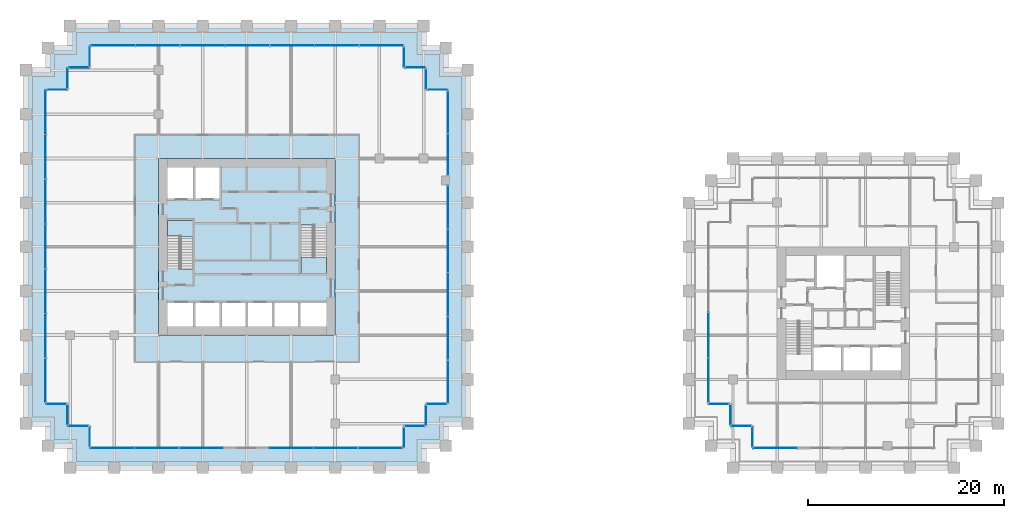
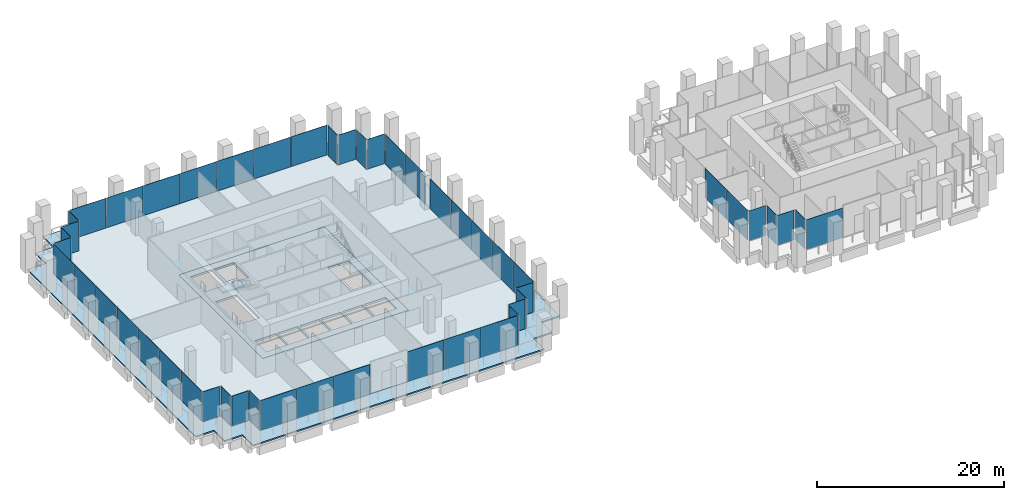
# One storey, part 28 of 36: 50 plates, 5 slabs, 30 elements without a shape of their own.
"""IFC4 building model written with IfcOpenShell, lengths in metres."""

from ifc_helpers import new_model, si_unit, direction, frame, origin, origin_2d, place, context, subcontext, project, spatial, polyline, rectangle, outline, extrude, material, layer, layer_set, type_object, element, aggregate, save


model = new_model("IFC4")

# Units and contexts
model_context = context("Model", 3, precision=1e-05, world=origin(), true_north=direction((0.0, 1.0)))
body_context = subcontext(model_context, "Body", "Model", "MODEL_VIEW")
ifc_project = project(units=[si_unit("LENGTHUNIT", "METRE"), si_unit("AREAUNIT", "SQUARE_METRE"), si_unit("VOLUMEUNIT", "CUBIC_METRE"), si_unit("PLANEANGLEUNIT", "RADIAN"), si_unit("MASSUNIT", "GRAM", prefix="KILO")], contexts=[model_context])

# Site, building, storey
site_placement = place(None, origin())
site = spatial("IfcSite", under=ifc_project, at=site_placement, CompositionType="ELEMENT")
building_placement = place(site_placement, origin())
building = spatial("IfcBuilding", under=site, at=building_placement, Name="Altepetl Exchange Towers", CompositionType="ELEMENT")
storey_placement = place(building_placement, frame((0.0, 0.0, 38.60009765625)))
storey = spatial("IfcBuildingStorey", under=building, at=storey_placement, Name="L08", CompositionType="ELEMENT", Elevation=38.60009765625)

# Slabs
ifc_material_1 = material(Name="Concrete C40/50", Category="concrete")
ifc_layer_1 = layer(ifc_material_1, 0.175048828125)
ifc_layer_set_1 = layer_set([ifc_layer_1], Name="Concrete C40/50")
slab_type_1 = type_object("IfcSlabType", Name="Composite floor slab 175", PredefinedType="FLOOR", material=ifc_layer_set_1)
slab_1_placement = place(storey_placement, frame((0.0, 0.0, -0.175048828125)))
element("IfcSlab", 1, at=slab_1_placement, inside=storey, type_object=slab_type_1, Name="slab:A:L08:strip0", PredefinedType="FLOOR", context=body_context, shape_type="SweptSolid", body=[
    extrude(outline(polyline([(31.25, 67.75), (31.25, 65.5), (29.0, 65.5), (29.0, 33.5), (31.25, 33.5), (31.25, 31.25), (33.5, 31.25), (33.5, 29.0), (65.5, 29.0), (65.5, 31.25), (67.75, 31.25), (67.75, 33.5), (70.0, 33.5), (70.0, 65.5), (67.75, 65.5), (67.75, 67.75), (65.5, 67.75), (65.5, 70.0), (33.5, 70.0), (33.5, 67.75), (31.25, 67.75)]), holes=[polyline([(58.5, 58.5), (58.5, 40.5), (40.5, 40.5), (40.5, 58.5), (58.5, 58.5)])]), origin(), (0.0, 0.0, 1.0), 0.175048828125),
])
ifc_layer_2 = layer(ifc_material_1, 0.27490234375)
ifc_layer_set_2 = layer_set([ifc_layer_2], Name="Concrete C40/50")
slab_type_2 = type_object("IfcSlabType", Name="Core floor slab 275", PredefinedType="FLOOR", material=ifc_layer_set_2)
slab_2_placement = place(storey_placement, frame((0.0, 0.0, -0.275146484375)))
element("IfcSlab", 2, at=slab_2_placement, inside=storey, type_object=slab_type_2, Name="slab:A:L08:core0", PredefinedType="FLOOR", context=body_context, shape_type="SweptSolid", body=[
    extrude(outline(polyline([(40.5, 40.5), (58.5, 40.5), (58.5, 58.5), (40.5, 58.5), (40.5, 40.5)]), holes=[polyline([(41.39990234375, 43.800048828125), (44.06689453125, 43.800048828125), (44.06689453125, 41.39990234375), (41.39990234375, 41.39990234375), (41.39990234375, 43.800048828125)]), polyline([(44.26708984375, 43.800048828125), (46.73291015625, 43.800048828125), (46.73291015625, 41.39990234375), (44.26708984375, 41.39990234375), (44.26708984375, 43.800048828125)]), polyline([(46.93310546875, 43.800048828125), (49.39990234375, 43.800048828125), (49.39990234375, 41.39990234375), (46.93310546875, 41.39990234375), (46.93310546875, 43.800048828125)]), polyline([(52.06689453125, 43.800048828125), (52.06689453125, 41.39990234375), (49.60009765625, 41.39990234375), (49.60009765625, 43.800048828125), (52.06689453125, 43.800048828125)]), polyline([(54.73291015625, 43.800048828125), (54.73291015625, 41.39990234375), (52.26708984375, 41.39990234375), (52.26708984375, 43.800048828125), (54.73291015625, 43.800048828125)]), polyline([(54.93310546875, 43.800048828125), (57.60009765625, 43.800048828125), (57.60009765625, 41.39990234375), (54.93310546875, 41.39990234375), (54.93310546875, 43.800048828125)]), polyline([(55.0, 51.7490234375), (56.35009765625, 51.7490234375), (56.35009765625, 51.64990234375), (57.60009765625, 51.64990234375), (57.60009765625, 46.800048828125), (55.0, 46.800048828125), (55.0, 51.7490234375)]), polyline([(44.0, 47.2509765625), (42.64990234375, 47.2509765625), (42.64990234375, 47.35009765625), (41.39990234375, 47.35009765625), (41.39990234375, 52.199951171875), (44.0, 52.199951171875), (44.0, 47.2509765625)]), polyline([(44.06689453125, 57.60009765625), (44.06689453125, 54.39990234375), (41.39990234375, 54.39990234375), (41.39990234375, 57.60009765625), (44.06689453125, 57.60009765625)]), polyline([(46.73291015625, 57.60009765625), (46.73291015625, 54.39990234375), (44.26708984375, 54.39990234375), (44.26708984375, 57.60009765625), (46.73291015625, 57.60009765625)])]), origin(), (0.0, 0.0, 1.0), 0.275146484375),
])

# Curtain wall, plate
ifc_material_2 = material(Name="Aluminium 6063-T6 glazing", Category="aluminium")
curtain_wall_type = type_object("IfcCurtainWallType", Name="Trading floor glazing system", PredefinedType="NOTDEFINED", material=ifc_material_2)
curtain_wall_1_placement = place(storey_placement, origin())
curtain_wall_1 = element("IfcCurtainWall", 3, at=curtain_wall_1_placement, inside=storey, type_object=curtain_wall_type, Name="CW2 run", PredefinedType="NOTDEFINED")
ifc_material_3 = material(Name="Glass 8-20-8 solar control", Category="glass")
ifc_layer_3 = layer(ifc_material_3, 0.035888671875)
ifc_layer_set_3 = layer_set([ifc_layer_3], Name="Glass 8-20-8 solar control")
plate_type = type_object("IfcPlateType", Name="Glass panel 36 double glazed", PredefinedType="CURTAIN_PANEL", material=ifc_layer_set_3)
plate_1_placement = place(storey_placement, frame((30.175048828125, 65.5, 0.0), z_axis=(0.0, 0.0, 1.0), x_axis=(-1.0, 0.0, 0.0)))
plate_1 = element("IfcPlate", 4, at=plate_1_placement, type_object=plate_type, Name="GP2 panel", PredefinedType="CURTAIN_PANEL", context=body_context, shape_type="SweptSolid", body=[
    extrude(rectangle(XDim=2.030029296875, YDim=0.035888671875, at=origin_2d()), origin(), (0.0, 0.0, 1.0), 3.89990234375),
])
aggregate(curtain_wall_1, [plate_1])

# Curtain wall, plates
curtain_wall_2_placement = place(storey_placement, origin())
curtain_wall_2 = element("IfcCurtainWall", 5, at=curtain_wall_2_placement, inside=storey, type_object=curtain_wall_type, Name="CW2 run", PredefinedType="NOTDEFINED")
plate_2_placement = place(storey_placement, frame((29.0, 63.20654296875, 0.0), z_axis=(0.0, 0.0, 1.0), x_axis=(0.0, -1.0, 0.0)))
plate_2 = element("IfcPlate", 6, at=plate_2_placement, type_object=plate_type, Name="GP2 panel", PredefinedType="CURTAIN_PANEL", context=body_context, shape_type="SweptSolid", body=[
    extrude(rectangle(XDim=4.467041015625, YDim=0.035888671875, at=origin_2d()), origin(), (0.0, 0.0, 1.0), 3.89990234375),
])
plate_3_placement = place(storey_placement, frame((29.0, 58.664306640625, 0.0), z_axis=(0.0, 0.0, 1.0), x_axis=(0.0, -1.0, 0.0)))
plate_3 = element("IfcPlate", 7, at=plate_3_placement, type_object=plate_type, Name="GP2 panel", PredefinedType="CURTAIN_PANEL", context=body_context, shape_type="SweptSolid", body=[
    extrude(rectangle(XDim=4.4970703125, YDim=0.035888671875, at=origin_2d()), origin(), (0.0, 0.0, 1.0), 3.89990234375),
])
plate_4_placement = place(storey_placement, frame((29.0, 54.107177734375, 0.0), z_axis=(0.0, 0.0, 1.0), x_axis=(0.0, -1.0, 0.0)))
plate_4 = element("IfcPlate", 8, at=plate_4_placement, type_object=plate_type, Name="GP2 panel", PredefinedType="CURTAIN_PANEL", context=body_context, shape_type="SweptSolid", body=[
    extrude(rectangle(XDim=4.4970703125, YDim=0.035888671875, at=origin_2d()), origin(), (0.0, 0.0, 1.0), 3.89990234375),
])
plate_5_placement = place(storey_placement, frame((29.0, 49.550048828125, 0.0), z_axis=(0.0, 0.0, 1.0), x_axis=(0.0, -1.0, 0.0)))
plate_5 = element("IfcPlate", 9, at=plate_5_placement, type_object=plate_type, Name="GP2 panel", PredefinedType="CURTAIN_PANEL", context=body_context, shape_type="SweptSolid", body=[
    extrude(rectangle(XDim=4.4970703125, YDim=0.035888671875, at=origin_2d()), origin(), (0.0, 0.0, 1.0), 3.89990234375),
])
plate_6_placement = place(storey_placement, frame((29.0, 44.992919921875, 0.0), z_axis=(0.0, 0.0, 1.0), x_axis=(0.0, -1.0, 0.0)))
plate_6 = element("IfcPlate", 10, at=plate_6_placement, type_object=plate_type, Name="GP2 panel", PredefinedType="CURTAIN_PANEL", context=body_context, shape_type="SweptSolid", body=[
    extrude(rectangle(XDim=4.4970703125, YDim=0.035888671875, at=origin_2d()), origin(), (0.0, 0.0, 1.0), 3.89990234375),
])
plate_7_placement = place(storey_placement, frame((29.0, 40.435791015625, 0.0), z_axis=(0.0, 0.0, 1.0), x_axis=(0.0, -1.0, 0.0)))
plate_7 = element("IfcPlate", 11, at=plate_7_placement, type_object=plate_type, Name="GP2 panel", PredefinedType="CURTAIN_PANEL", context=body_context, shape_type="SweptSolid", body=[
    extrude(rectangle(XDim=4.4970703125, YDim=0.035888671875, at=origin_2d()), origin(), (0.0, 0.0, 1.0), 3.89990234375),
])
plate_8_placement = place(storey_placement, frame((29.0, 35.8935546875, 0.0), z_axis=(0.0, 0.0, 1.0), x_axis=(0.0, -1.0, 0.0)))
plate_8 = element("IfcPlate", 12, at=plate_8_placement, type_object=plate_type, Name="GP2 panel", PredefinedType="CURTAIN_PANEL", context=body_context, shape_type="SweptSolid", body=[
    extrude(rectangle(XDim=4.467041015625, YDim=0.035888671875, at=origin_2d()), origin(), (0.0, 0.0, 1.0), 3.89990234375),
])
aggregate(curtain_wall_2, [plate_2, plate_3, plate_4, plate_5, plate_6, plate_7, plate_8])

# Curtain wall, plate
curtain_wall_3_placement = place(storey_placement, origin())
curtain_wall_3 = element("IfcCurtainWall", 13, at=curtain_wall_3_placement, inside=storey, type_object=curtain_wall_type, Name="CW2 run", PredefinedType="NOTDEFINED")
plate_9_placement = place(storey_placement, frame((30.074951171875, 33.5, 0.0)))
plate_9 = element("IfcPlate", 14, at=plate_9_placement, type_object=plate_type, Name="GP2 panel", PredefinedType="CURTAIN_PANEL", context=body_context, shape_type="SweptSolid", body=[
    extrude(rectangle(XDim=2.030029296875, YDim=0.035888671875, at=origin_2d()), origin(), (0.0, 0.0, 1.0), 3.89990234375),
])
aggregate(curtain_wall_3, [plate_9])

curtain_wall_4_placement = place(storey_placement, origin())
curtain_wall_4 = element("IfcCurtainWall", 15, at=curtain_wall_4_placement, inside=storey, type_object=curtain_wall_type, Name="CW2 run", PredefinedType="NOTDEFINED")
plate_10_placement = place(storey_placement, frame((31.25, 32.425048828125, 0.0), z_axis=(0.0, 0.0, 1.0), x_axis=(0.0, -1.0, 0.0)))
plate_10 = element("IfcPlate", 16, at=plate_10_placement, type_object=plate_type, Name="GP2 panel", PredefinedType="CURTAIN_PANEL", context=body_context, shape_type="SweptSolid", body=[
    extrude(rectangle(XDim=2.030029296875, YDim=0.035888671875, at=origin_2d()), origin(), (0.0, 0.0, 1.0), 3.89990234375),
])
aggregate(curtain_wall_4, [plate_10])

curtain_wall_5_placement = place(storey_placement, origin())
curtain_wall_5 = element("IfcCurtainWall", 17, at=curtain_wall_5_placement, inside=storey, type_object=curtain_wall_type, Name="CW2 run", PredefinedType="NOTDEFINED")
plate_11_placement = place(storey_placement, frame((32.324951171875, 31.25, 0.0)))
plate_11 = element("IfcPlate", 18, at=plate_11_placement, type_object=plate_type, Name="GP2 panel", PredefinedType="CURTAIN_PANEL", context=body_context, shape_type="SweptSolid", body=[
    extrude(rectangle(XDim=2.030029296875, YDim=0.035888671875, at=origin_2d()), origin(), (0.0, 0.0, 1.0), 3.89990234375),
])
aggregate(curtain_wall_5, [plate_11])

curtain_wall_6_placement = place(storey_placement, origin())
curtain_wall_6 = element("IfcCurtainWall", 19, at=curtain_wall_6_placement, inside=storey, type_object=curtain_wall_type, Name="CW2 run", PredefinedType="NOTDEFINED")
plate_12_placement = place(storey_placement, frame((33.5, 30.175048828125, 0.0), z_axis=(0.0, 0.0, 1.0), x_axis=(0.0, -1.0, 0.0)))
plate_12 = element("IfcPlate", 20, at=plate_12_placement, type_object=plate_type, Name="GP2 panel", PredefinedType="CURTAIN_PANEL", context=body_context, shape_type="SweptSolid", body=[
    extrude(rectangle(XDim=2.030029296875, YDim=0.035888671875, at=origin_2d()), origin(), (0.0, 0.0, 1.0), 3.89990234375),
])
aggregate(curtain_wall_6, [plate_12])

# Curtain wall, plates
curtain_wall_7_placement = place(storey_placement, origin())
curtain_wall_7 = element("IfcCurtainWall", 21, at=curtain_wall_7_placement, inside=storey, type_object=curtain_wall_type, Name="CW2 run", PredefinedType="NOTDEFINED")
plate_13_placement = place(storey_placement, frame((35.79345703125, 29.0, 0.0)))
plate_13 = element("IfcPlate", 22, at=plate_13_placement, type_object=plate_type, Name="GP2 panel", PredefinedType="CURTAIN_PANEL", context=body_context, shape_type="SweptSolid", body=[
    extrude(rectangle(XDim=4.467041015625, YDim=0.035888671875, at=origin_2d()), origin(), (0.0, 0.0, 1.0), 3.89990234375),
])
plate_14_placement = place(storey_placement, frame((40.335693359375, 29.0, 0.0)))
plate_14 = element("IfcPlate", 23, at=plate_14_placement, type_object=plate_type, Name="GP2 panel", PredefinedType="CURTAIN_PANEL", context=body_context, shape_type="SweptSolid", body=[
    extrude(rectangle(XDim=4.4970703125, YDim=0.035888671875, at=origin_2d()), origin(), (0.0, 0.0, 1.0), 3.89990234375),
])
plate_15_placement = place(storey_placement, frame((44.8779296875, 29.0, 0.0)))
plate_15 = element("IfcPlate", 24, at=plate_15_placement, type_object=plate_type, Name="GP2 panel", PredefinedType="CURTAIN_PANEL", context=body_context, shape_type="SweptSolid", body=[
    extrude(rectangle(XDim=4.467041015625, YDim=0.035888671875, at=origin_2d()), origin(), (0.0, 0.0, 1.0), 3.89990234375),
])
aggregate(curtain_wall_7, [plate_13, plate_14, plate_15])

curtain_wall_8_placement = place(storey_placement, origin())
curtain_wall_8 = element("IfcCurtainWall", 25, at=curtain_wall_8_placement, inside=storey, type_object=curtain_wall_type, Name="CW2 run", PredefinedType="NOTDEFINED")
plate_16_placement = place(storey_placement, frame((54.022216796875, 29.0, 0.0)))
plate_16 = element("IfcPlate", 26, at=plate_16_placement, type_object=plate_type, Name="GP2 panel", PredefinedType="CURTAIN_PANEL", context=body_context, shape_type="SweptSolid", body=[
    extrude(rectangle(XDim=4.467041015625, YDim=0.035888671875, at=origin_2d()), origin(), (0.0, 0.0, 1.0), 3.89990234375),
])
plate_17_placement = place(storey_placement, frame((58.564208984375, 29.0, 0.0)))
plate_17 = element("IfcPlate", 27, at=plate_17_placement, type_object=plate_type, Name="GP2 panel", PredefinedType="CURTAIN_PANEL", context=body_context, shape_type="SweptSolid", body=[
    extrude(rectangle(XDim=4.4970703125, YDim=0.035888671875, at=origin_2d()), origin(), (0.0, 0.0, 1.0), 3.89990234375),
])
plate_18_placement = place(storey_placement, frame((63.1064453125, 29.0, 0.0)))
plate_18 = element("IfcPlate", 28, at=plate_18_placement, type_object=plate_type, Name="GP2 panel", PredefinedType="CURTAIN_PANEL", context=body_context, shape_type="SweptSolid", body=[
    extrude(rectangle(XDim=4.467041015625, YDim=0.035888671875, at=origin_2d()), origin(), (0.0, 0.0, 1.0), 3.89990234375),
])
aggregate(curtain_wall_8, [plate_16, plate_17, plate_18])

# Curtain wall, plate
curtain_wall_9_placement = place(storey_placement, origin())
curtain_wall_9 = element("IfcCurtainWall", 29, at=curtain_wall_9_placement, inside=storey, type_object=curtain_wall_type, Name="CW2 run", PredefinedType="NOTDEFINED")
plate_19_placement = place(storey_placement, frame((65.5, 30.074951171875, 0.0), z_axis=(0.0, 0.0, 1.0), x_axis=(0.0, 1.0, 0.0)))
plate_19 = element("IfcPlate", 30, at=plate_19_placement, type_object=plate_type, Name="GP2 panel", PredefinedType="CURTAIN_PANEL", context=body_context, shape_type="SweptSolid", body=[
    extrude(rectangle(XDim=2.030029296875, YDim=0.035888671875, at=origin_2d()), origin(), (0.0, 0.0, 1.0), 3.89990234375),
])
aggregate(curtain_wall_9, [plate_19])

curtain_wall_10_placement = place(storey_placement, origin())
curtain_wall_10 = element("IfcCurtainWall", 31, at=curtain_wall_10_placement, inside=storey, type_object=curtain_wall_type, Name="CW2 run", PredefinedType="NOTDEFINED")
plate_20_placement = place(storey_placement, frame((66.574951171875, 31.25, 0.0)))
plate_20 = element("IfcPlate", 32, at=plate_20_placement, type_object=plate_type, Name="GP2 panel", PredefinedType="CURTAIN_PANEL", context=body_context, shape_type="SweptSolid", body=[
    extrude(rectangle(XDim=2.030029296875, YDim=0.035888671875, at=origin_2d()), origin(), (0.0, 0.0, 1.0), 3.89990234375),
])
aggregate(curtain_wall_10, [plate_20])

curtain_wall_11_placement = place(storey_placement, origin())
curtain_wall_11 = element("IfcCurtainWall", 33, at=curtain_wall_11_placement, inside=storey, type_object=curtain_wall_type, Name="CW2 run", PredefinedType="NOTDEFINED")
plate_21_placement = place(storey_placement, frame((67.75, 32.324951171875, 0.0), z_axis=(0.0, 0.0, 1.0), x_axis=(0.0, 1.0, 0.0)))
plate_21 = element("IfcPlate", 34, at=plate_21_placement, type_object=plate_type, Name="GP2 panel", PredefinedType="CURTAIN_PANEL", context=body_context, shape_type="SweptSolid", body=[
    extrude(rectangle(XDim=2.030029296875, YDim=0.035888671875, at=origin_2d()), origin(), (0.0, 0.0, 1.0), 3.89990234375),
])
aggregate(curtain_wall_11, [plate_21])

curtain_wall_12_placement = place(storey_placement, origin())
curtain_wall_12 = element("IfcCurtainWall", 35, at=curtain_wall_12_placement, inside=storey, type_object=curtain_wall_type, Name="CW2 run", PredefinedType="NOTDEFINED")
plate_22_placement = place(storey_placement, frame((68.824951171875, 33.5, 0.0)))
plate_22 = element("IfcPlate", 36, at=plate_22_placement, type_object=plate_type, Name="GP2 panel", PredefinedType="CURTAIN_PANEL", context=body_context, shape_type="SweptSolid", body=[
    extrude(rectangle(XDim=2.030029296875, YDim=0.035888671875, at=origin_2d()), origin(), (0.0, 0.0, 1.0), 3.89990234375),
])
aggregate(curtain_wall_12, [plate_22])

# Curtain wall, plates
curtain_wall_13_placement = place(storey_placement, origin())
curtain_wall_13 = element("IfcCurtainWall", 37, at=curtain_wall_13_placement, inside=storey, type_object=curtain_wall_type, Name="CW2 run", PredefinedType="NOTDEFINED")
plate_23_placement = place(storey_placement, frame((70.0, 35.742919921875, 0.0), z_axis=(0.0, 0.0, 1.0), x_axis=(0.0, 1.0, 0.0)))
plate_23 = element("IfcPlate", 38, at=plate_23_placement, type_object=plate_type, Name="GP2 panel", PredefinedType="CURTAIN_PANEL", context=body_context, shape_type="SweptSolid", body=[
    extrude(rectangle(XDim=4.365966796875, YDim=0.035888671875, at=origin_2d()), origin(), (0.0, 0.0, 1.0), 3.89990234375),
])
plate_24_placement = place(storey_placement, frame((70.0, 40.18408203125, 0.0), z_axis=(0.0, 0.0, 1.0), x_axis=(0.0, 1.0, 0.0)))
plate_24 = element("IfcPlate", 39, at=plate_24_placement, type_object=plate_type, Name="GP2 panel", PredefinedType="CURTAIN_PANEL", context=body_context, shape_type="SweptSolid", body=[
    extrude(rectangle(XDim=4.39599609375, YDim=0.035888671875, at=origin_2d()), origin(), (0.0, 0.0, 1.0), 3.89990234375),
])
plate_25_placement = place(storey_placement, frame((70.0, 44.639892578125, 0.0), z_axis=(0.0, 0.0, 1.0), x_axis=(0.0, 1.0, 0.0)))
plate_25 = element("IfcPlate", 40, at=plate_25_placement, type_object=plate_type, Name="GP2 panel", PredefinedType="CURTAIN_PANEL", context=body_context, shape_type="SweptSolid", body=[
    extrude(rectangle(XDim=4.39599609375, YDim=0.035888671875, at=origin_2d()), origin(), (0.0, 0.0, 1.0), 3.89990234375),
])
plate_26_placement = place(storey_placement, frame((70.0, 49.095947265625, 0.0), z_axis=(0.0, 0.0, 1.0), x_axis=(0.0, 1.0, 0.0)))
plate_26 = element("IfcPlate", 41, at=plate_26_placement, type_object=plate_type, Name="GP2 panel", PredefinedType="CURTAIN_PANEL", context=body_context, shape_type="SweptSolid", body=[
    extrude(rectangle(XDim=4.39599609375, YDim=0.035888671875, at=origin_2d()), origin(), (0.0, 0.0, 1.0), 3.89990234375),
])
plate_27_placement = place(storey_placement, frame((70.0, 53.537109375, 0.0), z_axis=(0.0, 0.0, 1.0), x_axis=(0.0, 1.0, 0.0)))
plate_27 = element("IfcPlate", 42, at=plate_27_placement, type_object=plate_type, Name="GP2 panel", PredefinedType="CURTAIN_PANEL", context=body_context, shape_type="SweptSolid", body=[
    extrude(rectangle(XDim=4.365966796875, YDim=0.035888671875, at=origin_2d()), origin(), (0.0, 0.0, 1.0), 3.89990234375),
])
aggregate(curtain_wall_13, [plate_23, plate_24, plate_25, plate_26, plate_27])

curtain_wall_14_placement = place(storey_placement, origin())
curtain_wall_14 = element("IfcCurtainWall", 43, at=curtain_wall_14_placement, inside=storey, type_object=curtain_wall_type, Name="CW2 run", PredefinedType="NOTDEFINED")
plate_28_placement = place(storey_placement, frame((70.0, 58.905029296875, 0.0), z_axis=(0.0, 0.0, 1.0), x_axis=(0.0, 1.0, 0.0)))
plate_28 = element("IfcPlate", 44, at=plate_28_placement, type_object=plate_type, Name="GP2 panel", PredefinedType="CURTAIN_PANEL", context=body_context, shape_type="SweptSolid", body=[
    extrude(rectangle(XDim=4.25, YDim=0.035888671875, at=origin_2d()), origin(), (0.0, 0.0, 1.0), 3.89990234375),
])
plate_29_placement = place(storey_placement, frame((70.0, 63.215087890625, 0.0), z_axis=(0.0, 0.0, 1.0), x_axis=(0.0, 1.0, 0.0)))
plate_29 = element("IfcPlate", 45, at=plate_29_placement, type_object=plate_type, Name="GP2 panel", PredefinedType="CURTAIN_PANEL", context=body_context, shape_type="SweptSolid", body=[
    extrude(rectangle(XDim=4.25, YDim=0.035888671875, at=origin_2d()), origin(), (0.0, 0.0, 1.0), 3.89990234375),
])
aggregate(curtain_wall_14, [plate_28, plate_29])

# Curtain wall, plate
curtain_wall_15_placement = place(storey_placement, origin())
curtain_wall_15 = element("IfcCurtainWall", 46, at=curtain_wall_15_placement, inside=storey, type_object=curtain_wall_type, Name="CW2 run", PredefinedType="NOTDEFINED")
plate_30_placement = place(storey_placement, frame((68.925048828125, 65.5, 0.0), z_axis=(0.0, 0.0, 1.0), x_axis=(-1.0, 0.0, 0.0)))
plate_30 = element("IfcPlate", 47, at=plate_30_placement, type_object=plate_type, Name="GP2 panel", PredefinedType="CURTAIN_PANEL", context=body_context, shape_type="SweptSolid", body=[
    extrude(rectangle(XDim=2.030029296875, YDim=0.035888671875, at=origin_2d()), origin(), (0.0, 0.0, 1.0), 3.89990234375),
])
aggregate(curtain_wall_15, [plate_30])

curtain_wall_16_placement = place(storey_placement, origin())
curtain_wall_16 = element("IfcCurtainWall", 48, at=curtain_wall_16_placement, inside=storey, type_object=curtain_wall_type, Name="CW2 run", PredefinedType="NOTDEFINED")
plate_31_placement = place(storey_placement, frame((67.75, 66.574951171875, 0.0), z_axis=(0.0, 0.0, 1.0), x_axis=(0.0, 1.0, 0.0)))
plate_31 = element("IfcPlate", 49, at=plate_31_placement, type_object=plate_type, Name="GP2 panel", PredefinedType="CURTAIN_PANEL", context=body_context, shape_type="SweptSolid", body=[
    extrude(rectangle(XDim=2.030029296875, YDim=0.035888671875, at=origin_2d()), origin(), (0.0, 0.0, 1.0), 3.89990234375),
])
aggregate(curtain_wall_16, [plate_31])

curtain_wall_17_placement = place(storey_placement, origin())
curtain_wall_17 = element("IfcCurtainWall", 50, at=curtain_wall_17_placement, inside=storey, type_object=curtain_wall_type, Name="CW2 run", PredefinedType="NOTDEFINED")
plate_32_placement = place(storey_placement, frame((66.675048828125, 67.75, 0.0), z_axis=(0.0, 0.0, 1.0), x_axis=(-1.0, 0.0, 0.0)))
plate_32 = element("IfcPlate", 51, at=plate_32_placement, type_object=plate_type, Name="GP2 panel", PredefinedType="CURTAIN_PANEL", context=body_context, shape_type="SweptSolid", body=[
    extrude(rectangle(XDim=2.030029296875, YDim=0.035888671875, at=origin_2d()), origin(), (0.0, 0.0, 1.0), 3.89990234375),
])
aggregate(curtain_wall_17, [plate_32])

curtain_wall_18_placement = place(storey_placement, origin())
curtain_wall_18 = element("IfcCurtainWall", 52, at=curtain_wall_18_placement, inside=storey, type_object=curtain_wall_type, Name="CW2 run", PredefinedType="NOTDEFINED")
plate_33_placement = place(storey_placement, frame((65.5, 68.824951171875, 0.0), z_axis=(0.0, 0.0, 1.0), x_axis=(0.0, 1.0, 0.0)))
plate_33 = element("IfcPlate", 53, at=plate_33_placement, type_object=plate_type, Name="GP2 panel", PredefinedType="CURTAIN_PANEL", context=body_context, shape_type="SweptSolid", body=[
    extrude(rectangle(XDim=2.030029296875, YDim=0.035888671875, at=origin_2d()), origin(), (0.0, 0.0, 1.0), 3.89990234375),
])
aggregate(curtain_wall_18, [plate_33])

# Curtain wall, plates
curtain_wall_19_placement = place(storey_placement, origin())
curtain_wall_19 = element("IfcCurtainWall", 54, at=curtain_wall_19_placement, inside=storey, type_object=curtain_wall_type, Name="CW2 run", PredefinedType="NOTDEFINED")
plate_34_placement = place(storey_placement, frame((63.20654296875, 70.0, 0.0), z_axis=(0.0, 0.0, 1.0), x_axis=(-1.0, 0.0, 0.0)))
plate_34 = element("IfcPlate", 55, at=plate_34_placement, type_object=plate_type, Name="GP2 panel", PredefinedType="CURTAIN_PANEL", context=body_context, shape_type="SweptSolid", body=[
    extrude(rectangle(XDim=4.467041015625, YDim=0.035888671875, at=origin_2d()), origin(), (0.0, 0.0, 1.0), 3.89990234375),
])
plate_35_placement = place(storey_placement, frame((58.664306640625, 70.0, 0.0), z_axis=(0.0, 0.0, 1.0), x_axis=(-1.0, 0.0, 0.0)))
plate_35 = element("IfcPlate", 56, at=plate_35_placement, type_object=plate_type, Name="GP2 panel", PredefinedType="CURTAIN_PANEL", context=body_context, shape_type="SweptSolid", body=[
    extrude(rectangle(XDim=4.4970703125, YDim=0.035888671875, at=origin_2d()), origin(), (0.0, 0.0, 1.0), 3.89990234375),
])
plate_36_placement = place(storey_placement, frame((54.107177734375, 70.0, 0.0), z_axis=(0.0, 0.0, 1.0), x_axis=(-1.0, 0.0, 0.0)))
plate_36 = element("IfcPlate", 57, at=plate_36_placement, type_object=plate_type, Name="GP2 panel", PredefinedType="CURTAIN_PANEL", context=body_context, shape_type="SweptSolid", body=[
    extrude(rectangle(XDim=4.4970703125, YDim=0.035888671875, at=origin_2d()), origin(), (0.0, 0.0, 1.0), 3.89990234375),
])
plate_37_placement = place(storey_placement, frame((49.550048828125, 70.0, 0.0), z_axis=(0.0, 0.0, 1.0), x_axis=(-1.0, 0.0, 0.0)))
plate_37 = element("IfcPlate", 58, at=plate_37_placement, type_object=plate_type, Name="GP2 panel", PredefinedType="CURTAIN_PANEL", context=body_context, shape_type="SweptSolid", body=[
    extrude(rectangle(XDim=4.4970703125, YDim=0.035888671875, at=origin_2d()), origin(), (0.0, 0.0, 1.0), 3.89990234375),
])
plate_38_placement = place(storey_placement, frame((44.992919921875, 70.0, 0.0), z_axis=(0.0, 0.0, 1.0), x_axis=(-1.0, 0.0, 0.0)))
plate_38 = element("IfcPlate", 59, at=plate_38_placement, type_object=plate_type, Name="GP2 panel", PredefinedType="CURTAIN_PANEL", context=body_context, shape_type="SweptSolid", body=[
    extrude(rectangle(XDim=4.4970703125, YDim=0.035888671875, at=origin_2d()), origin(), (0.0, 0.0, 1.0), 3.89990234375),
])
plate_39_placement = place(storey_placement, frame((40.435791015625, 70.0, 0.0), z_axis=(0.0, 0.0, 1.0), x_axis=(-1.0, 0.0, 0.0)))
plate_39 = element("IfcPlate", 60, at=plate_39_placement, type_object=plate_type, Name="GP2 panel", PredefinedType="CURTAIN_PANEL", context=body_context, shape_type="SweptSolid", body=[
    extrude(rectangle(XDim=4.4970703125, YDim=0.035888671875, at=origin_2d()), origin(), (0.0, 0.0, 1.0), 3.89990234375),
])
plate_40_placement = place(storey_placement, frame((35.8935546875, 70.0, 0.0), z_axis=(0.0, 0.0, 1.0), x_axis=(-1.0, 0.0, 0.0)))
plate_40 = element("IfcPlate", 61, at=plate_40_placement, type_object=plate_type, Name="GP2 panel", PredefinedType="CURTAIN_PANEL", context=body_context, shape_type="SweptSolid", body=[
    extrude(rectangle(XDim=4.467041015625, YDim=0.035888671875, at=origin_2d()), origin(), (0.0, 0.0, 1.0), 3.89990234375),
])
aggregate(curtain_wall_19, [plate_34, plate_35, plate_36, plate_37, plate_38, plate_39, plate_40])

# Curtain wall, plate
curtain_wall_20_placement = place(storey_placement, origin())
curtain_wall_20 = element("IfcCurtainWall", 62, at=curtain_wall_20_placement, inside=storey, type_object=curtain_wall_type, Name="CW2 run", PredefinedType="NOTDEFINED")
plate_41_placement = place(storey_placement, frame((33.5, 68.925048828125, 0.0), z_axis=(0.0, 0.0, 1.0), x_axis=(0.0, -1.0, 0.0)))
plate_41 = element("IfcPlate", 63, at=plate_41_placement, type_object=plate_type, Name="GP2 panel", PredefinedType="CURTAIN_PANEL", context=body_context, shape_type="SweptSolid", body=[
    extrude(rectangle(XDim=2.030029296875, YDim=0.035888671875, at=origin_2d()), origin(), (0.0, 0.0, 1.0), 3.89990234375),
])
aggregate(curtain_wall_20, [plate_41])

curtain_wall_21_placement = place(storey_placement, origin())
curtain_wall_21 = element("IfcCurtainWall", 64, at=curtain_wall_21_placement, inside=storey, type_object=curtain_wall_type, Name="CW2 run", PredefinedType="NOTDEFINED")
plate_42_placement = place(storey_placement, frame((32.425048828125, 67.75, 0.0), z_axis=(0.0, 0.0, 1.0), x_axis=(-1.0, 0.0, 0.0)))
plate_42 = element("IfcPlate", 65, at=plate_42_placement, type_object=plate_type, Name="GP2 panel", PredefinedType="CURTAIN_PANEL", context=body_context, shape_type="SweptSolid", body=[
    extrude(rectangle(XDim=2.030029296875, YDim=0.035888671875, at=origin_2d()), origin(), (0.0, 0.0, 1.0), 3.89990234375),
])
aggregate(curtain_wall_21, [plate_42])

curtain_wall_22_placement = place(storey_placement, origin())
curtain_wall_22 = element("IfcCurtainWall", 66, at=curtain_wall_22_placement, inside=storey, type_object=curtain_wall_type, Name="CW2 run", PredefinedType="NOTDEFINED")
plate_43_placement = place(storey_placement, frame((31.25, 66.675048828125, 0.0), z_axis=(0.0, 0.0, 1.0), x_axis=(0.0, -1.0, 0.0)))
plate_43 = element("IfcPlate", 67, at=plate_43_placement, type_object=plate_type, Name="GP2 panel", PredefinedType="CURTAIN_PANEL", context=body_context, shape_type="SweptSolid", body=[
    extrude(rectangle(XDim=2.030029296875, YDim=0.035888671875, at=origin_2d()), origin(), (0.0, 0.0, 1.0), 3.89990234375),
])
aggregate(curtain_wall_22, [plate_43])

# Curtain wall, plates
curtain_wall_23_placement = place(storey_placement, origin())
curtain_wall_23 = element("IfcCurtainWall", 68, at=curtain_wall_23_placement, inside=storey, type_object=curtain_wall_type, Name="CW2 run", PredefinedType="NOTDEFINED")
plate_44_placement = place(storey_placement, frame((96.5, 40.5, 0.0), z_axis=(0.0, 0.0, 1.0), x_axis=(0.0, -1.0, 0.0)))
plate_44 = element("IfcPlate", 69, at=plate_44_placement, type_object=plate_type, Name="GP2 panel", PredefinedType="CURTAIN_PANEL", context=body_context, shape_type="SweptSolid", body=[
    extrude(rectangle(XDim=4.5400390625, YDim=0.035888671875, at=origin_2d()), origin(), (0.0, 0.0, 1.0), 3.89990234375),
])
plate_45_placement = place(storey_placement, frame((96.5, 35.9150390625, 0.0), z_axis=(0.0, 0.0, 1.0), x_axis=(0.0, -1.0, 0.0)))
plate_45 = element("IfcPlate", 70, at=plate_45_placement, type_object=plate_type, Name="GP2 panel", PredefinedType="CURTAIN_PANEL", context=body_context, shape_type="SweptSolid", body=[
    extrude(rectangle(XDim=4.510009765625, YDim=0.035888671875, at=origin_2d()), origin(), (0.0, 0.0, 1.0), 3.89990234375),
])
aggregate(curtain_wall_23, [plate_44, plate_45])

# Curtain wall, plate
curtain_wall_24_placement = place(storey_placement, origin())
curtain_wall_24 = element("IfcCurtainWall", 71, at=curtain_wall_24_placement, inside=storey, type_object=curtain_wall_type, Name="CW2 run", PredefinedType="NOTDEFINED")
plate_46_placement = place(storey_placement, frame((97.574951171875, 33.5, 0.0)))
plate_46 = element("IfcPlate", 72, at=plate_46_placement, type_object=plate_type, Name="GP2 panel", PredefinedType="CURTAIN_PANEL", context=body_context, shape_type="SweptSolid", body=[
    extrude(rectangle(XDim=2.030029296875, YDim=0.035888671875, at=origin_2d()), origin(), (0.0, 0.0, 1.0), 3.89990234375),
])
aggregate(curtain_wall_24, [plate_46])

curtain_wall_25_placement = place(storey_placement, origin())
curtain_wall_25 = element("IfcCurtainWall", 73, at=curtain_wall_25_placement, inside=storey, type_object=curtain_wall_type, Name="CW2 run", PredefinedType="NOTDEFINED")
plate_47_placement = place(storey_placement, frame((98.75, 32.425048828125, 0.0), z_axis=(0.0, 0.0, 1.0), x_axis=(0.0, -1.0, 0.0)))
plate_47 = element("IfcPlate", 74, at=plate_47_placement, type_object=plate_type, Name="GP2 panel", PredefinedType="CURTAIN_PANEL", context=body_context, shape_type="SweptSolid", body=[
    extrude(rectangle(XDim=2.030029296875, YDim=0.035888671875, at=origin_2d()), origin(), (0.0, 0.0, 1.0), 3.89990234375),
])
aggregate(curtain_wall_25, [plate_47])

curtain_wall_26_placement = place(storey_placement, origin())
curtain_wall_26 = element("IfcCurtainWall", 75, at=curtain_wall_26_placement, inside=storey, type_object=curtain_wall_type, Name="CW2 run", PredefinedType="NOTDEFINED")
plate_48_placement = place(storey_placement, frame((99.824951171875, 31.25, 0.0)))
plate_48 = element("IfcPlate", 76, at=plate_48_placement, type_object=plate_type, Name="GP2 panel", PredefinedType="CURTAIN_PANEL", context=body_context, shape_type="SweptSolid", body=[
    extrude(rectangle(XDim=2.030029296875, YDim=0.035888671875, at=origin_2d()), origin(), (0.0, 0.0, 1.0), 3.89990234375),
])
aggregate(curtain_wall_26, [plate_48])

curtain_wall_27_placement = place(storey_placement, origin())
curtain_wall_27 = element("IfcCurtainWall", 77, at=curtain_wall_27_placement, inside=storey, type_object=curtain_wall_type, Name="CW2 run", PredefinedType="NOTDEFINED")
plate_49_placement = place(storey_placement, frame((101.0, 30.175048828125, 0.0), z_axis=(0.0, 0.0, 1.0), x_axis=(0.0, -1.0, 0.0)))
plate_49 = element("IfcPlate", 78, at=plate_49_placement, type_object=plate_type, Name="GP2 panel", PredefinedType="CURTAIN_PANEL", context=body_context, shape_type="SweptSolid", body=[
    extrude(rectangle(XDim=2.030029296875, YDim=0.035888671875, at=origin_2d()), origin(), (0.0, 0.0, 1.0), 3.89990234375),
])
aggregate(curtain_wall_27, [plate_49])

curtain_wall_28_placement = place(storey_placement, origin())
curtain_wall_28 = element("IfcCurtainWall", 79, at=curtain_wall_28_placement, inside=storey, type_object=curtain_wall_type, Name="CW2 run", PredefinedType="NOTDEFINED")
plate_50_placement = place(storey_placement, frame((103.300048828125, 29.0, 0.0)))
plate_50 = element("IfcPlate", 80, at=plate_50_placement, type_object=plate_type, Name="GP2 panel", PredefinedType="CURTAIN_PANEL", context=body_context, shape_type="SweptSolid", body=[
    extrude(rectangle(XDim=4.47998046875, YDim=0.035888671875, at=origin_2d()), origin(), (0.0, 0.0, 1.0), 3.89990234375),
])
aggregate(curtain_wall_28, [plate_50])

# Slab
ifc_layer_4 = layer(ifc_material_1, 0.175048828125)
ifc_layer_set_4 = layer_set([ifc_layer_4], Name="Concrete C40/50")
slab_type_3 = type_object("IfcSlabType", Name="Loggia slab 175", PredefinedType="FLOOR", material=ifc_layer_set_4)
slab_3_placement = place(storey_placement, frame((0.0, 0.0, -0.175048828125)))
element("IfcSlab", 81, at=slab_3_placement, inside=storey, type_object=slab_type_3, Name="slab:A:L08:loggia0", PredefinedType="FLOOR", context=body_context, shape_type="SweptSolid", body=[
    extrude(outline(polyline([(29.25, 67.5), (27.0, 67.5), (27.0, 40.5), (27.0, 31.5), (29.25, 31.5), (29.25, 29.25), (31.5, 29.25), (31.5, 27.0), (58.5, 27.0), (67.5, 27.0), (67.5, 29.25), (69.75, 29.25), (69.75, 31.5), (72.0, 31.5), (72.0, 58.5), (72.0, 67.5), (69.75, 67.5), (69.75, 69.75), (67.5, 69.75), (67.5, 72.0), (40.5, 72.0), (31.5, 72.0), (31.5, 69.75), (29.25, 69.75), (29.25, 67.5)]), holes=[polyline([(29.0, 65.5), (31.25, 65.5), (31.25, 67.75), (33.5, 67.75), (33.5, 70.0), (65.5, 70.0), (65.5, 67.75), (67.75, 67.75), (67.75, 65.5), (70.0, 65.5), (70.0, 33.5), (67.75, 33.5), (67.75, 31.25), (65.5, 31.25), (65.5, 29.0), (33.5, 29.0), (33.5, 31.25), (31.25, 31.25), (31.25, 33.5), (29.0, 33.5), (29.0, 65.5)])]), origin(), (0.0, 0.0, 1.0), 0.175048828125),
])

# Stair, slab
stair_type = type_object("IfcStairType", Name="Exit stair 1250 flights dogleg", PredefinedType="HALF_TURN_STAIR", material=ifc_material_1)
stair_1_placement = place(storey_placement, origin())
stair_1 = element("IfcStair", 82, at=stair_1_placement, inside=storey, type_object=stair_type, Name="Exit stair 1", PredefinedType="HALF_TURN_STAIR")
ifc_layer_5 = layer(ifc_material_1, 0.199951171875)
ifc_layer_set_5 = layer_set([ifc_layer_5], Name="Concrete C40/50")
slab_type_4 = type_object("IfcSlabType", Name="Stair landing 200 reinforced concrete", PredefinedType="LANDING", material=ifc_layer_set_5)
slab_4_placement = place(storey_placement, frame((0.0, 0.0, 2.0)))
slab_4 = element("IfcSlab", 83, at=slab_4_placement, type_object=slab_type_4, Name="ST-A1b landing 1", PredefinedType="LANDING", context=body_context, shape_type="SweptSolid", body=[
    extrude(outline(polyline([(44.0, 50.510009765625), (42.75, 50.510009765625), (42.75, 50.610107421875), (42.64990234375, 50.610107421875), (42.64990234375, 50.609375), (41.39990234375, 50.609375), (41.39990234375, 50.610107421875), (41.39990234375, 52.199951171875), (44.0, 52.199951171875), (44.0, 50.610107421875), (44.0, 50.510009765625)])), origin(), (0.0, 0.0, 1.0), 0.199951171875),
])
aggregate(stair_1, [slab_4])

stair_2_placement = place(storey_placement, origin())
stair_2 = element("IfcStair", 84, at=stair_2_placement, inside=storey, type_object=stair_type, Name="Exit stair 2", PredefinedType="HALF_TURN_STAIR")
slab_5_placement = place(storey_placement, frame((0.0, 0.0, 2.0)))
slab_5 = element("IfcSlab", 85, at=slab_5_placement, type_object=slab_type_4, Name="ST-A2b landing 1", PredefinedType="LANDING", context=body_context, shape_type="SweptSolid", body=[
    extrude(outline(polyline([(57.60009765625, 46.800048828125), (55.0, 46.800048828125), (55.0, 48.389892578125), (55.0, 48.489990234375), (56.25, 48.489990234375), (56.25, 48.389892578125), (56.35009765625, 48.389892578125), (56.35009765625, 48.390625), (57.60009765625, 48.390625), (57.60009765625, 48.389892578125), (57.60009765625, 46.800048828125)])), origin(), (0.0, 0.0, 1.0), 0.199951171875),
])
aggregate(stair_2, [slab_5])

save(model, "model.ifc")
